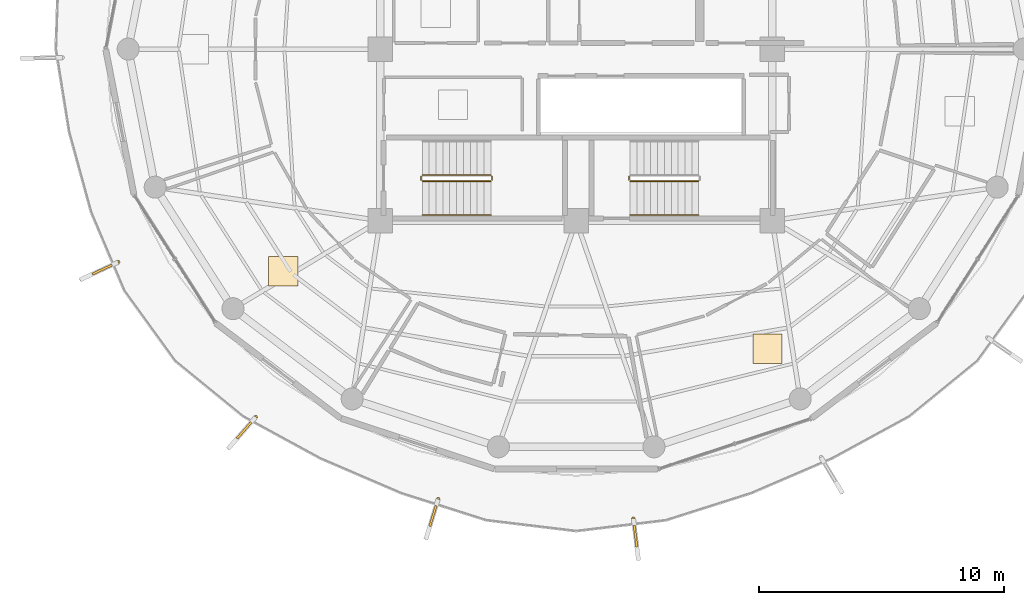
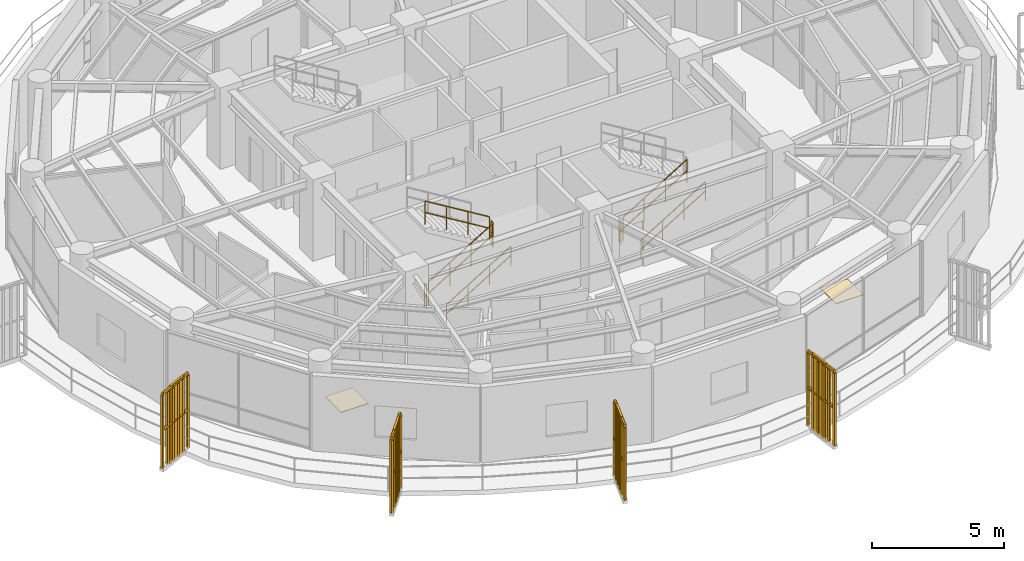
# One storey, part 20 of 23: 12 railings, 4 shading devices, 2 coverings.
"""IFC4 building model written with IfcOpenShell, lengths in metres."""

from ifc_helpers import new_model, si_unit, direction, frame, origin, origin_2d, place, context, subcontext, project, spatial, polyline, rectangle, outline, extrude, source, transform, mapped, material, layer, layer_set, type_object, element, save


model = new_model("IFC4")

# Units and contexts
model_context = context("Model", 3, precision=1e-05, world=origin(), true_north=direction((0.0, 1.0)))
body_context = subcontext(model_context, "Body", "Model", "MODEL_VIEW")
ifc_project = project(units=[si_unit("LENGTHUNIT", "METRE"), si_unit("AREAUNIT", "SQUARE_METRE"), si_unit("VOLUMEUNIT", "CUBIC_METRE"), si_unit("PLANEANGLEUNIT", "RADIAN"), si_unit("MASSUNIT", "GRAM", prefix="KILO")], contexts=[model_context])

# Site, building, storey
site_placement = place(None, origin())
site = spatial("IfcSite", under=ifc_project, at=site_placement, CompositionType="ELEMENT")
building_placement = place(site_placement, origin())
building = spatial("IfcBuilding", under=site, at=building_placement, Name="Kelanora Arch Commons", CompositionType="ELEMENT")
storey_placement = place(building_placement, frame((0.0, 0.0, 252.449951171875)))
storey = spatial("IfcBuildingStorey", under=building, at=storey_placement, Name="L64", CompositionType="ELEMENT", Elevation=252.449951171875)

# Railings
ifc_material_1 = material(Name="Anodised bronze vertical shading fin rib assembly")
railing_type_1 = type_object("IfcRailingType", Name="RAIL-FIN-BRZ", PredefinedType="BALUSTRADE", material=ifc_material_1)
railing_1_placement = place(storey_placement, frame((55.311279296875, 49.305908203125, -0.02001953125)))
element("IfcRailing", 1, at=railing_1_placement, inside=storey, type_object=railing_type_1, Name="Sweeping Bronze Vertical Fin Blade L64-10", PredefinedType="BALUSTRADE", context=body_context, shape_type="SweptSolid", body=[
    extrude(outline(polyline([(0.06982421875, 0.0), (0.034912109375, 0.060546875), (-0.034912109375, 0.060546875), (-0.06982421875, 0.0), (-0.034912109375, -0.060546875), (0.034912109375, -0.060546875), (0.06982421875, 0.0)])), frame((0.0, 0.0, 3.419921875), z_axis=(-0.906723728992, -0.421725122897, 0.0), x_axis=(0.421725122897, -0.906723728992, 0.0)), (0.0, 0.0, 1.0), 1.6591796875),
    extrude(outline(polyline([(0.06982421875, 0.0), (0.034912109375, 0.060546875), (-0.034912109375, 0.060546875), (-0.06982421875, 0.0), (-0.034912109375, -0.060546875), (0.034912109375, -0.060546875), (0.06982421875, 0.0)])), frame((0.0, 0.0, 1.7451171875), z_axis=(-0.906723728992, -0.421725122897, 0.0), x_axis=(0.421725122897, -0.906723728992, 0.0)), (0.0, 0.0, 1.0), 1.6591796875),
    extrude(outline(polyline([(0.080078125, 0.0), (0.0400390625, 0.0693359375), (-0.0400390625, 0.0693359375), (-0.080078125, 0.0), (-0.0400390625, -0.0693359375), (0.0400390625, -0.0693359375), (0.080078125, 0.0)])), origin(), (0.0, 0.0, 1.0), 3.35009765625),
    extrude(outline(polyline([(0.080078125, 0.0), (0.0400390625, 0.0693359375), (-0.0400390625, 0.0693359375), (-0.080078125, 0.0), (-0.0400390625, -0.0693359375), (0.0400390625, -0.0693359375), (0.080078125, 0.0)])), frame((-0.30078125, -0.139892578125, 0.0)), (0.0, 0.0, 1.0), 3.35009765625),
    extrude(outline(polyline([(0.080078125, 0.0), (0.0400390625, 0.0693359375), (-0.0400390625, 0.0693359375), (-0.080078125, 0.0), (-0.0400390625, -0.0693359375), (0.0400390625, -0.0693359375), (0.080078125, 0.0)])), frame((-0.601806640625, -0.27978515625, 0.0)), (0.0, 0.0, 1.0), 3.35009765625),
    extrude(outline(polyline([(0.080078125, 0.0), (0.0400390625, 0.0693359375), (-0.0400390625, 0.0693359375), (-0.080078125, 0.0), (-0.0400390625, -0.0693359375), (0.0400390625, -0.0693359375), (0.080078125, 0.0)])), frame((-0.902587890625, -0.419921875, 0.0)), (0.0, 0.0, 1.0), 3.35009765625),
    extrude(outline(polyline([(0.080078125, 0.0), (0.0400390625, 0.0693359375), (-0.0400390625, 0.0693359375), (-0.080078125, 0.0), (-0.0400390625, -0.0693359375), (0.0400390625, -0.0693359375), (0.080078125, 0.0)])), frame((-1.20361328125, -0.559814453125, 0.0)), (0.0, 0.0, 1.0), 3.35009765625),
    extrude(outline(polyline([(0.080078125, 0.0), (0.0400390625, 0.0693359375), (-0.0400390625, 0.0693359375), (-0.080078125, 0.0), (-0.0400390625, -0.0693359375), (0.0400390625, -0.0693359375), (0.080078125, 0.0)])), frame((-1.50439453125, -0.69970703125, 0.0)), (0.0, 0.0, 1.0), 3.35009765625),
])
railing_2_placement = place(storey_placement, frame((60.92236328125, 42.9833984375, -0.02001953125)))
element("IfcRailing", 2, at=railing_2_placement, inside=storey, type_object=railing_type_1, Name="Sweeping Bronze Vertical Fin Blade L64-11", PredefinedType="BALUSTRADE", context=body_context, shape_type="SweptSolid", body=[
    extrude(outline(polyline([(0.06982421875, 0.0), (0.034912109375, 0.060546875), (-0.034912109375, 0.060546875), (-0.06982421875, 0.0), (-0.034912109375, -0.060546875), (0.034912109375, -0.060546875), (0.06982421875, 0.0)])), frame((0.0, 0.0, 3.419921875), z_axis=(-0.656721361164, -0.75413331301, 0.0), x_axis=(0.75413331301, -0.656721361164, 0.0)), (0.0, 0.0, 1.0), 1.6591796875),
    extrude(outline(polyline([(0.06982421875, 0.0), (0.034912109375, 0.060546875), (-0.034912109375, 0.060546875), (-0.06982421875, 0.0), (-0.034912109375, -0.060546875), (0.034912109375, -0.060546875), (0.06982421875, 0.0)])), frame((0.0, 0.0, 1.7451171875), z_axis=(-0.656721361164, -0.75413331301, 0.0), x_axis=(0.75413331301, -0.656721361164, 0.0)), (0.0, 0.0, 1.0), 1.6591796875),
    extrude(outline(polyline([(0.080078125, 0.0), (0.0400390625, 0.0693359375), (-0.0400390625, 0.0693359375), (-0.080078125, 0.0), (-0.0400390625, -0.0693359375), (0.0400390625, -0.0693359375), (0.080078125, 0.0)])), origin(), (0.0, 0.0, 1.0), 3.35009765625),
    extrude(outline(polyline([(0.080078125, 0.0), (0.0400390625, 0.0693359375), (-0.0400390625, 0.0693359375), (-0.080078125, 0.0), (-0.0400390625, -0.0693359375), (0.0400390625, -0.0693359375), (0.080078125, 0.0)])), frame((-0.218017578125, -0.250244140625, 0.0)), (0.0, 0.0, 1.0), 3.35009765625),
    extrude(outline(polyline([(0.080078125, 0.0), (0.0400390625, 0.0693359375), (-0.0400390625, 0.0693359375), (-0.080078125, 0.0), (-0.0400390625, -0.0693359375), (0.0400390625, -0.0693359375), (0.080078125, 0.0)])), frame((-0.435791015625, -0.50048828125, 0.0)), (0.0, 0.0, 1.0), 3.35009765625),
    extrude(outline(polyline([(0.080078125, 0.0), (0.0400390625, 0.0693359375), (-0.0400390625, 0.0693359375), (-0.080078125, 0.0), (-0.0400390625, -0.0693359375), (0.0400390625, -0.0693359375), (0.080078125, 0.0)])), frame((-0.65380859375, -0.750732421875, 0.0)), (0.0, 0.0, 1.0), 3.35009765625),
    extrude(outline(polyline([(0.080078125, 0.0), (0.0400390625, 0.0693359375), (-0.0400390625, 0.0693359375), (-0.080078125, 0.0), (-0.0400390625, -0.0693359375), (0.0400390625, -0.0693359375), (0.080078125, 0.0)])), frame((-0.87158203125, -1.0009765625, 0.0)), (0.0, 0.0, 1.0), 3.35009765625),
    extrude(outline(polyline([(0.080078125, 0.0), (0.0400390625, 0.0693359375), (-0.0400390625, 0.0693359375), (-0.080078125, 0.0), (-0.0400390625, -0.0693359375), (0.0400390625, -0.0693359375), (0.080078125, 0.0)])), frame((-1.089599609375, -1.251220703125, 0.0)), (0.0, 0.0, 1.0), 3.35009765625),
])
railing_3_placement = place(storey_placement, frame((68.367431640625, 39.636474609375, -0.02001953125)))
element("IfcRailing", 3, at=railing_3_placement, inside=storey, type_object=railing_type_1, Name="Sweeping Bronze Vertical Fin Blade L64-12", PredefinedType="BALUSTRADE", context=body_context, shape_type="SweptSolid", body=[
    extrude(outline(polyline([(0.06982421875, 0.0), (0.034912109375, 0.060546875), (-0.034912109375, 0.060546875), (-0.06982421875, 0.0), (-0.034912109375, -0.060546875), (0.034912109375, -0.060546875), (0.06982421875, 0.0)])), frame((0.0, 0.0, 3.419921875), z_axis=(-0.293134360772, -0.956071255992, 0.0), x_axis=(0.956071255992, -0.293134360772, 0.0)), (0.0, 0.0, 1.0), 1.6591796875),
    extrude(outline(polyline([(0.06982421875, 0.0), (0.034912109375, 0.060546875), (-0.034912109375, 0.060546875), (-0.06982421875, 0.0), (-0.034912109375, -0.060546875), (0.034912109375, -0.060546875), (0.06982421875, 0.0)])), frame((0.0, 0.0, 1.7451171875), z_axis=(-0.293134360772, -0.956071255992, 0.0), x_axis=(0.956071255992, -0.293134360772, 0.0)), (0.0, 0.0, 1.0), 1.6591796875),
    extrude(outline(polyline([(0.080078125, 0.0), (0.0400390625, 0.0693359375), (-0.0400390625, 0.0693359375), (-0.080078125, 0.0), (-0.0400390625, -0.0693359375), (0.0400390625, -0.0693359375), (0.080078125, 0.0)])), origin(), (0.0, 0.0, 1.0), 3.35009765625),
    extrude(outline(polyline([(0.080078125, 0.0), (0.0400390625, 0.0693359375), (-0.0400390625, 0.0693359375), (-0.080078125, 0.0), (-0.0400390625, -0.0693359375), (0.0400390625, -0.0693359375), (0.080078125, 0.0)])), frame((-0.09716796875, -0.317138671875, 0.0)), (0.0, 0.0, 1.0), 3.35009765625),
    extrude(outline(polyline([(0.080078125, 0.0), (0.0400390625, 0.0693359375), (-0.0400390625, 0.0693359375), (-0.080078125, 0.0), (-0.0400390625, -0.0693359375), (0.0400390625, -0.0693359375), (0.080078125, 0.0)])), frame((-0.194580078125, -0.634521484375, 0.0)), (0.0, 0.0, 1.0), 3.35009765625),
    extrude(outline(polyline([(0.080078125, 0.0), (0.0400390625, 0.0693359375), (-0.0400390625, 0.0693359375), (-0.080078125, 0.0), (-0.0400390625, -0.0693359375), (0.0400390625, -0.0693359375), (0.080078125, 0.0)])), frame((-0.291748046875, -0.95166015625, 0.0)), (0.0, 0.0, 1.0), 3.35009765625),
    extrude(outline(polyline([(0.080078125, 0.0), (0.0400390625, 0.0693359375), (-0.0400390625, 0.0693359375), (-0.080078125, 0.0), (-0.0400390625, -0.0693359375), (0.0400390625, -0.0693359375), (0.080078125, 0.0)])), frame((-0.38916015625, -1.26904296875, 0.0)), (0.0, 0.0, 1.0), 3.35009765625),
    extrude(outline(polyline([(0.080078125, 0.0), (0.0400390625, 0.0693359375), (-0.0400390625, 0.0693359375), (-0.080078125, 0.0), (-0.0400390625, -0.0693359375), (0.0400390625, -0.0693359375), (0.080078125, 0.0)])), frame((-0.486328125, -1.586181640625, 0.0)), (0.0, 0.0, 1.0), 3.35009765625),
])
railing_4_placement = place(storey_placement, frame((76.334716796875, 38.841552734375, -0.02001953125)))
element("IfcRailing", 4, at=railing_4_placement, inside=storey, type_object=railing_type_1, Name="Sweeping Bronze Vertical Fin Blade L64-13", PredefinedType="BALUSTRADE", context=body_context, shape_type="SweptSolid", body=[
    extrude(outline(polyline([(0.06982421875, 0.0), (0.034912109375, 0.060546875), (-0.034912109375, 0.060546875), (-0.06982421875, 0.0), (-0.034912109375, -0.060546875), (0.034912109375, -0.060546875), (0.06982421875, 0.0)])), frame((0.0, 0.0, 3.419921875), z_axis=(0.120955356253, -0.992657948033, 0.0), x_axis=(0.992657948033, 0.120955356253, 0.0)), (0.0, 0.0, 1.0), 1.6591796875),
    extrude(outline(polyline([(0.06982421875, 0.0), (0.034912109375, 0.060546875), (-0.034912109375, 0.060546875), (-0.06982421875, 0.0), (-0.034912109375, -0.060546875), (0.034912109375, -0.060546875), (0.06982421875, 0.0)])), frame((0.0, 0.0, 1.7451171875), z_axis=(0.120955356253, -0.992657948033, 0.0), x_axis=(0.992657948033, 0.120955356253, 0.0)), (0.0, 0.0, 1.0), 1.6591796875),
    extrude(outline(polyline([(0.080078125, 0.0), (0.0400390625, 0.0693359375), (-0.0400390625, 0.0693359375), (-0.080078125, 0.0), (-0.0400390625, -0.0693359375), (0.0400390625, -0.0693359375), (0.080078125, 0.0)])), origin(), (0.0, 0.0, 1.0), 3.35009765625),
    extrude(outline(polyline([(0.080078125, 0.0), (0.0400390625, 0.0693359375), (-0.0400390625, 0.0693359375), (-0.080078125, 0.0), (-0.0400390625, -0.0693359375), (0.0400390625, -0.0693359375), (0.080078125, 0.0)])), frame((0.0400390625, -0.329345703125, 0.0)), (0.0, 0.0, 1.0), 3.35009765625),
    extrude(outline(polyline([(0.080078125, 0.0), (0.0400390625, 0.0693359375), (-0.0400390625, 0.0693359375), (-0.080078125, 0.0), (-0.0400390625, -0.0693359375), (0.0400390625, -0.0693359375), (0.080078125, 0.0)])), frame((0.080322265625, -0.65869140625, 0.0)), (0.0, 0.0, 1.0), 3.35009765625),
    extrude(outline(polyline([(0.080078125, 0.0), (0.0400390625, 0.0693359375), (-0.0400390625, 0.0693359375), (-0.080078125, 0.0), (-0.0400390625, -0.0693359375), (0.0400390625, -0.0693359375), (0.080078125, 0.0)])), frame((0.120361328125, -0.98828125, 0.0)), (0.0, 0.0, 1.0), 3.35009765625),
    extrude(outline(polyline([(0.080078125, 0.0), (0.0400390625, 0.0693359375), (-0.0400390625, 0.0693359375), (-0.080078125, 0.0), (-0.0400390625, -0.0693359375), (0.0400390625, -0.0693359375), (0.080078125, 0.0)])), frame((0.16064453125, -1.317626953125, 0.0)), (0.0, 0.0, 1.0), 3.35009765625),
    extrude(outline(polyline([(0.080078125, 0.0), (0.0400390625, 0.0693359375), (-0.0400390625, 0.0693359375), (-0.080078125, 0.0), (-0.0400390625, -0.0693359375), (0.0400390625, -0.0693359375), (0.080078125, 0.0)])), frame((0.20068359375, -1.64697265625, 0.0)), (0.0, 0.0, 1.0), 3.35009765625),
])
ifc_material_2 = material(Name="Painted steel stair well guard", Category="steel")
railing_type_2 = type_object("IfcRailingType", Name="RAIL-STAIR-GRD", PredefinedType="GUARDRAIL", material=ifc_material_2)
railing_5_placement = place(storey_placement, frame((76.199951171875, 52.610107421875, 0.17041015625)))
element("IfcRailing", 5, at=railing_5_placement, inside=storey, type_object=railing_type_2, Name="L64 ST-T2 stair guard 1", PredefinedType="GUARDRAIL", context=body_context, shape_type="SweptSolid", body=[
    extrude(outline(polyline([(0.02392578125, 0.0), (0.011962890625, 0.020751953125), (-0.011962890625, 0.020751953125), (-0.02392578125, 0.0), (-0.011962890625, -0.020751953125), (0.011962890625, -0.020751953125), (0.02392578125, 0.0)])), frame((0.0, 0.0, 1.076171875), z_axis=(0.854169791009, 0.0, 0.51999420009), x_axis=(0.0, 1.0, 0.0)), (0.0, 0.0, 1.0), 3.278076171875),
    extrude(outline(polyline([(0.02392578125, 0.0), (0.011962890625, 0.020751953125), (-0.011962890625, 0.020751953125), (-0.02392578125, 0.0), (-0.011962890625, -0.020751953125), (0.011962890625, -0.020751953125), (0.02392578125, 0.0)])), frame((0.0, 0.0, 0.550048828125), z_axis=(0.854169791009, 0.0, 0.51999420009), x_axis=(0.0, 1.0, 0.0)), (0.0, 0.0, 1.0), 3.278076171875),
    extrude(outline(polyline([(0.02099609375, 0.0), (0.010498046875, 0.01806640625), (-0.010498046875, 0.01806640625), (-0.02099609375, 0.0), (-0.010498046875, -0.01806640625), (0.010498046875, -0.01806640625), (0.02099609375, 0.0)])), origin(), (0.0, 0.0, 1.0), 1.052001953125),
    extrude(outline(polyline([(0.02099609375, 0.0), (0.010498046875, 0.01806640625), (-0.010498046875, 0.01806640625), (-0.02099609375, 0.0), (-0.010498046875, -0.01806640625), (0.010498046875, -0.01806640625), (0.02099609375, 0.0)])), frame((0.933349609375, 0.0, 0.568115234375)), (0.0, 0.0, 1.0), 1.052001953125),
    extrude(outline(polyline([(0.02099609375, 0.0), (0.010498046875, 0.01806640625), (-0.010498046875, 0.01806640625), (-0.02099609375, 0.0), (-0.010498046875, -0.01806640625), (0.010498046875, -0.01806640625), (0.02099609375, 0.0)])), frame((1.86669921875, 0.0, 1.136474609375)), (0.0, 0.0, 1.0), 1.052001953125),
    extrude(outline(polyline([(0.02099609375, 0.0), (0.010498046875, 0.01806640625), (-0.010498046875, 0.01806640625), (-0.02099609375, 0.0), (-0.010498046875, -0.01806640625), (0.010498046875, -0.01806640625), (0.02099609375, 0.0)])), frame((2.800048828125, 0.0, 1.70458984375)), (0.0, 0.0, 1.0), 1.052001953125),
])
railing_6_placement = place(storey_placement, frame((76.14990234375, 52.659912109375, 0.0)))
element("IfcRailing", 6, at=railing_6_placement, inside=storey, type_object=railing_type_2, Name="L64 ST-T2 stair guard 4", PredefinedType="GUARDRAIL", context=body_context, shape_type="SweptSolid", body=[
    extrude(outline(polyline([(0.02392578125, 0.0), (0.011962890625, 0.020751953125), (-0.011962890625, 0.020751953125), (-0.02392578125, 0.0), (-0.011962890625, -0.020751953125), (0.011962890625, -0.020751953125), (0.02392578125, 0.0)])), frame((0.0, 0.0, 1.076171875), z_axis=(0.0, 1.0, 0.0), x_axis=(-1.0, 0.0, 0.0)), (0.0, 0.0, 1.0), 0.150146484375),
    extrude(outline(polyline([(0.02392578125, 0.0), (0.011962890625, 0.020751953125), (-0.011962890625, 0.020751953125), (-0.02392578125, 0.0), (-0.011962890625, -0.020751953125), (0.011962890625, -0.020751953125), (0.02392578125, 0.0)])), frame((0.0, 0.0, 0.550048828125), z_axis=(0.0, 1.0, 0.0), x_axis=(-1.0, 0.0, 0.0)), (0.0, 0.0, 1.0), 0.150146484375),
    extrude(outline(polyline([(0.02099609375, 0.0), (0.010498046875, 0.01806640625), (-0.010498046875, 0.01806640625), (-0.02099609375, 0.0), (-0.010498046875, -0.01806640625), (0.010498046875, -0.01806640625), (0.02099609375, 0.0)])), origin(), (0.0, 0.0, 1.0), 1.052001953125),
    extrude(outline(polyline([(0.02099609375, 0.0), (0.010498046875, 0.01806640625), (-0.010498046875, 0.01806640625), (-0.02099609375, 0.0), (-0.010498046875, -0.01806640625), (0.010498046875, -0.01806640625), (0.02099609375, 0.0)])), frame((0.0, 0.150146484375, 0.0)), (0.0, 0.0, 1.0), 1.052001953125),
])
railing_7_placement = place(storey_placement, frame((67.719970703125, 52.610107421875, 0.17041015625)))
element("IfcRailing", 7, at=railing_7_placement, inside=storey, type_object=railing_type_2, Name="L64 ST-T3 stair guard 1", PredefinedType="GUARDRAIL", context=body_context, shape_type="SweptSolid", body=[
    extrude(outline(polyline([(0.02392578125, 0.0), (0.011962890625, 0.020751953125), (-0.011962890625, 0.020751953125), (-0.02392578125, 0.0), (-0.011962890625, -0.020751953125), (0.011962890625, -0.020751953125), (0.02392578125, 0.0)])), frame((0.0, 0.0, 1.076171875), z_axis=(0.854169791009, 0.0, 0.51999420009), x_axis=(0.0, 1.0, 0.0)), (0.0, 0.0, 1.0), 3.278076171875),
    extrude(outline(polyline([(0.02392578125, 0.0), (0.011962890625, 0.020751953125), (-0.011962890625, 0.020751953125), (-0.02392578125, 0.0), (-0.011962890625, -0.020751953125), (0.011962890625, -0.020751953125), (0.02392578125, 0.0)])), frame((0.0, 0.0, 0.550048828125), z_axis=(0.854169791009, 0.0, 0.51999420009), x_axis=(0.0, 1.0, 0.0)), (0.0, 0.0, 1.0), 3.278076171875),
    extrude(outline(polyline([(0.02099609375, 0.0), (0.010498046875, 0.01806640625), (-0.010498046875, 0.01806640625), (-0.02099609375, 0.0), (-0.010498046875, -0.01806640625), (0.010498046875, -0.01806640625), (0.02099609375, 0.0)])), origin(), (0.0, 0.0, 1.0), 1.052001953125),
    extrude(outline(polyline([(0.02099609375, 0.0), (0.010498046875, 0.01806640625), (-0.010498046875, 0.01806640625), (-0.02099609375, 0.0), (-0.010498046875, -0.01806640625), (0.010498046875, -0.01806640625), (0.02099609375, 0.0)])), frame((0.933349609375, 0.0, 0.568115234375)), (0.0, 0.0, 1.0), 1.052001953125),
    extrude(outline(polyline([(0.02099609375, 0.0), (0.010498046875, 0.01806640625), (-0.010498046875, 0.01806640625), (-0.02099609375, 0.0), (-0.010498046875, -0.01806640625), (0.010498046875, -0.01806640625), (0.02099609375, 0.0)])), frame((1.86669921875, 0.0, 1.136474609375)), (0.0, 0.0, 1.0), 1.052001953125),
    extrude(outline(polyline([(0.02099609375, 0.0), (0.010498046875, 0.01806640625), (-0.010498046875, 0.01806640625), (-0.02099609375, 0.0), (-0.010498046875, -0.01806640625), (0.010498046875, -0.01806640625), (0.02099609375, 0.0)])), frame((2.800048828125, 0.0, 1.70458984375)), (0.0, 0.0, 1.0), 1.052001953125),
])
railing_8_placement = place(storey_placement, frame((70.570068359375, 52.659912109375, 1.875)))
element("IfcRailing", 8, at=railing_8_placement, inside=storey, type_object=railing_type_2, Name="L64 ST-T3 stair guard 2", PredefinedType="GUARDRAIL", context=body_context, shape_type="SweptSolid", body=[
    extrude(outline(polyline([(0.02392578125, 0.0), (0.011962890625, 0.020751953125), (-0.011962890625, 0.020751953125), (-0.02392578125, 0.0), (-0.011962890625, -0.020751953125), (0.011962890625, -0.020751953125), (0.02392578125, 0.0)])), frame((0.0, 0.0, 1.076171875), z_axis=(0.0, 1.0, 0.0), x_axis=(-1.0, 0.0, 0.0)), (0.0, 0.0, 1.0), 0.150146484375),
    extrude(outline(polyline([(0.02392578125, 0.0), (0.011962890625, 0.020751953125), (-0.011962890625, 0.020751953125), (-0.02392578125, 0.0), (-0.011962890625, -0.020751953125), (0.011962890625, -0.020751953125), (0.02392578125, 0.0)])), frame((0.0, 0.0, 0.550048828125), z_axis=(0.0, 1.0, 0.0), x_axis=(-1.0, 0.0, 0.0)), (0.0, 0.0, 1.0), 0.150146484375),
    extrude(outline(polyline([(0.02099609375, 0.0), (0.010498046875, 0.01806640625), (-0.010498046875, 0.01806640625), (-0.02099609375, 0.0), (-0.010498046875, -0.01806640625), (0.010498046875, -0.01806640625), (0.02099609375, 0.0)])), origin(), (0.0, 0.0, 1.0), 1.052001953125),
    extrude(outline(polyline([(0.02099609375, 0.0), (0.010498046875, 0.01806640625), (-0.010498046875, 0.01806640625), (-0.02099609375, 0.0), (-0.010498046875, -0.01806640625), (0.010498046875, -0.01806640625), (0.02099609375, 0.0)])), frame((0.0, 0.150146484375, 0.0)), (0.0, 0.0, 1.0), 1.052001953125),
])
railing_9_placement = place(storey_placement, frame((70.52001953125, 52.860107421875, 2.04541015625)))
element("IfcRailing", 9, at=railing_9_placement, inside=storey, type_object=railing_type_2, Name="L64 ST-T3 stair guard 3", PredefinedType="GUARDRAIL", context=body_context, shape_type="SweptSolid", body=[
    extrude(outline(polyline([(0.02392578125, 0.0), (0.011962890625, 0.020751953125), (-0.011962890625, 0.020751953125), (-0.02392578125, 0.0), (-0.011962890625, -0.020751953125), (0.011962890625, -0.020751953125), (0.02392578125, 0.0)])), frame((0.0, 0.0, 1.076171875), z_axis=(-0.854169791009, 0.0, 0.51999420009), x_axis=(0.0, -1.0, 0.0)), (0.0, 0.0, 1.0), 3.278076171875),
    extrude(outline(polyline([(0.02392578125, 0.0), (0.011962890625, 0.020751953125), (-0.011962890625, 0.020751953125), (-0.02392578125, 0.0), (-0.011962890625, -0.020751953125), (0.011962890625, -0.020751953125), (0.02392578125, 0.0)])), frame((0.0, 0.0, 0.550048828125), z_axis=(-0.854169791009, 0.0, 0.51999420009), x_axis=(0.0, -1.0, 0.0)), (0.0, 0.0, 1.0), 3.278076171875),
    extrude(outline(polyline([(0.02099609375, 0.0), (0.010498046875, 0.01806640625), (-0.010498046875, 0.01806640625), (-0.02099609375, 0.0), (-0.010498046875, -0.01806640625), (0.010498046875, -0.01806640625), (0.02099609375, 0.0)])), origin(), (0.0, 0.0, 1.0), 1.052001953125),
    extrude(outline(polyline([(0.02099609375, 0.0), (0.010498046875, 0.01806640625), (-0.010498046875, 0.01806640625), (-0.02099609375, 0.0), (-0.010498046875, -0.01806640625), (0.010498046875, -0.01806640625), (0.02099609375, 0.0)])), frame((-0.933349609375, 0.0, 0.568115234375)), (0.0, 0.0, 1.0), 1.052001953125),
    extrude(outline(polyline([(0.02099609375, 0.0), (0.010498046875, 0.01806640625), (-0.010498046875, 0.01806640625), (-0.02099609375, 0.0), (-0.010498046875, -0.01806640625), (0.010498046875, -0.01806640625), (0.02099609375, 0.0)])), frame((-1.86669921875, 0.0, 1.136474609375)), (0.0, 0.0, 1.0), 1.052001953125),
    extrude(outline(polyline([(0.02099609375, 0.0), (0.010498046875, 0.01806640625), (-0.010498046875, 0.01806640625), (-0.02099609375, 0.0), (-0.010498046875, -0.01806640625), (0.010498046875, -0.01806640625), (0.02099609375, 0.0)])), frame((-2.800048828125, 0.0, 1.70458984375)), (0.0, 0.0, 1.0), 1.052001953125),
])
railing_10_placement = place(storey_placement, frame((67.669921875, 52.659912109375, 0.0)))
element("IfcRailing", 10, at=railing_10_placement, inside=storey, type_object=railing_type_2, Name="L64 ST-T3 stair guard 4", PredefinedType="GUARDRAIL", context=body_context, shape_type="SweptSolid", body=[
    extrude(outline(polyline([(0.02392578125, 0.0), (0.011962890625, 0.020751953125), (-0.011962890625, 0.020751953125), (-0.02392578125, 0.0), (-0.011962890625, -0.020751953125), (0.011962890625, -0.020751953125), (0.02392578125, 0.0)])), frame((0.0, 0.0, 1.076171875), z_axis=(0.0, 1.0, 0.0), x_axis=(-1.0, 0.0, 0.0)), (0.0, 0.0, 1.0), 0.150146484375),
    extrude(outline(polyline([(0.02392578125, 0.0), (0.011962890625, 0.020751953125), (-0.011962890625, 0.020751953125), (-0.02392578125, 0.0), (-0.011962890625, -0.020751953125), (0.011962890625, -0.020751953125), (0.02392578125, 0.0)])), frame((0.0, 0.0, 0.550048828125), z_axis=(0.0, 1.0, 0.0), x_axis=(-1.0, 0.0, 0.0)), (0.0, 0.0, 1.0), 0.150146484375),
    extrude(outline(polyline([(0.02099609375, 0.0), (0.010498046875, 0.01806640625), (-0.010498046875, 0.01806640625), (-0.02099609375, 0.0), (-0.010498046875, -0.01806640625), (0.010498046875, -0.01806640625), (0.02099609375, 0.0)])), origin(), (0.0, 0.0, 1.0), 1.052001953125),
    extrude(outline(polyline([(0.02099609375, 0.0), (0.010498046875, 0.01806640625), (-0.010498046875, 0.01806640625), (-0.02099609375, 0.0), (-0.010498046875, -0.01806640625), (0.010498046875, -0.01806640625), (0.02099609375, 0.0)])), frame((0.0, 0.150146484375, 0.0)), (0.0, 0.0, 1.0), 1.052001953125),
])
ifc_material_3 = material(Name="Brushed stainless steel stair handrail", Category="steel")
railing_type_3 = type_object("IfcRailingType", Name="RAIL-STAIR-HND", PredefinedType="HANDRAIL", material=ifc_material_3)
railing_11_placement = place(storey_placement, frame((76.199951171875, 51.22998046875, 0.17041015625)))
element("IfcRailing", 11, at=railing_11_placement, inside=storey, type_object=railing_type_3, Name="L64 ST-T2 stair handrail 1", PredefinedType="HANDRAIL", context=body_context, shape_type="SweptSolid", body=[
    extrude(outline(polyline([(0.02392578125, 0.0), (0.011962890625, 0.020751953125), (-0.011962890625, 0.020751953125), (-0.02392578125, 0.0), (-0.011962890625, -0.020751953125), (0.011962890625, -0.020751953125), (0.02392578125, 0.0)])), frame((0.0, 0.0, 0.8759765625), z_axis=(0.854169791009, 0.0, 0.51999420009), x_axis=(0.0, 1.0, 0.0)), (0.0, 0.0, 1.0), 3.278076171875),
    extrude(outline(polyline([(0.02392578125, 0.0), (0.011962890625, 0.020751953125), (-0.011962890625, 0.020751953125), (-0.02392578125, 0.0), (-0.011962890625, -0.020751953125), (0.011962890625, -0.020751953125), (0.02392578125, 0.0)])), frame((0.0, 0.0, 0.449951171875), z_axis=(0.854169791009, 0.0, 0.51999420009), x_axis=(0.0, 1.0, 0.0)), (0.0, 0.0, 1.0), 3.278076171875),
    extrude(outline(polyline([(0.02099609375, 0.0), (0.010498046875, 0.01806640625), (-0.010498046875, 0.01806640625), (-0.02099609375, 0.0), (-0.010498046875, -0.01806640625), (0.010498046875, -0.01806640625), (0.02099609375, 0.0)])), origin(), (0.0, 0.0, 1.0), 0.851806640625),
    extrude(outline(polyline([(0.02099609375, 0.0), (0.010498046875, 0.01806640625), (-0.010498046875, 0.01806640625), (-0.02099609375, 0.0), (-0.010498046875, -0.01806640625), (0.010498046875, -0.01806640625), (0.02099609375, 0.0)])), frame((0.933349609375, 0.0, 0.568115234375)), (0.0, 0.0, 1.0), 0.851806640625),
    extrude(outline(polyline([(0.02099609375, 0.0), (0.010498046875, 0.01806640625), (-0.010498046875, 0.01806640625), (-0.02099609375, 0.0), (-0.010498046875, -0.01806640625), (0.010498046875, -0.01806640625), (0.02099609375, 0.0)])), frame((1.86669921875, 0.0, 1.136474609375)), (0.0, 0.0, 1.0), 0.851806640625),
    extrude(outline(polyline([(0.02099609375, 0.0), (0.010498046875, 0.01806640625), (-0.010498046875, 0.01806640625), (-0.02099609375, 0.0), (-0.010498046875, -0.01806640625), (0.010498046875, -0.01806640625), (0.02099609375, 0.0)])), frame((2.800048828125, 0.0, 1.70458984375)), (0.0, 0.0, 1.0), 0.851806640625),
])
railing_12_placement = place(storey_placement, frame((67.719970703125, 51.22998046875, 0.17041015625)))
element("IfcRailing", 12, at=railing_12_placement, inside=storey, type_object=railing_type_3, Name="L64 ST-T3 stair handrail 1", PredefinedType="HANDRAIL", context=body_context, shape_type="SweptSolid", body=[
    extrude(outline(polyline([(0.02392578125, 0.0), (0.011962890625, 0.020751953125), (-0.011962890625, 0.020751953125), (-0.02392578125, 0.0), (-0.011962890625, -0.020751953125), (0.011962890625, -0.020751953125), (0.02392578125, 0.0)])), frame((0.0, 0.0, 0.8759765625), z_axis=(0.854169791009, 0.0, 0.51999420009), x_axis=(0.0, 1.0, 0.0)), (0.0, 0.0, 1.0), 3.278076171875),
    extrude(outline(polyline([(0.02392578125, 0.0), (0.011962890625, 0.020751953125), (-0.011962890625, 0.020751953125), (-0.02392578125, 0.0), (-0.011962890625, -0.020751953125), (0.011962890625, -0.020751953125), (0.02392578125, 0.0)])), frame((0.0, 0.0, 0.449951171875), z_axis=(0.854169791009, 0.0, 0.51999420009), x_axis=(0.0, 1.0, 0.0)), (0.0, 0.0, 1.0), 3.278076171875),
    extrude(outline(polyline([(0.02099609375, 0.0), (0.010498046875, 0.01806640625), (-0.010498046875, 0.01806640625), (-0.02099609375, 0.0), (-0.010498046875, -0.01806640625), (0.010498046875, -0.01806640625), (0.02099609375, 0.0)])), origin(), (0.0, 0.0, 1.0), 0.851806640625),
    extrude(outline(polyline([(0.02099609375, 0.0), (0.010498046875, 0.01806640625), (-0.010498046875, 0.01806640625), (-0.02099609375, 0.0), (-0.010498046875, -0.01806640625), (0.010498046875, -0.01806640625), (0.02099609375, 0.0)])), frame((0.933349609375, 0.0, 0.568115234375)), (0.0, 0.0, 1.0), 0.851806640625),
    extrude(outline(polyline([(0.02099609375, 0.0), (0.010498046875, 0.01806640625), (-0.010498046875, 0.01806640625), (-0.02099609375, 0.0), (-0.010498046875, -0.01806640625), (0.010498046875, -0.01806640625), (0.02099609375, 0.0)])), frame((1.86669921875, 0.0, 1.136474609375)), (0.0, 0.0, 1.0), 0.851806640625),
    extrude(outline(polyline([(0.02099609375, 0.0), (0.010498046875, 0.01806640625), (-0.010498046875, 0.01806640625), (-0.02099609375, 0.0), (-0.010498046875, -0.01806640625), (0.010498046875, -0.01806640625), (0.02099609375, 0.0)])), frame((2.800048828125, 0.0, 1.70458984375)), (0.0, 0.0, 1.0), 0.851806640625),
])

# Shading devices
ifc_material_4 = material(Name="Terracotta ceramic-clad extruded aluminium fin", Category="masonry")
shading_device_type = type_object("IfcShadingDeviceType", Name="SHD-FIN-FLARE", PredefinedType="USERDEFINED", material=ifc_material_4)
shared_shape_1 = source(origin(), body_context, "Body", "SweptSolid", [
    extrude(rectangle(XDim=0.8798828125, YDim=0.090087890625, at=origin_2d()), origin(), (0.0, 0.0, 1.0), 3.610107421875),
])
for number, where, z_axis, x_axis, name in (
    (13, (54.658447265625, 49.002197265625, -0.14013671875), (0.0, 0.0, 1.0), (-0.906676245901, -0.421827198174, 0.0), "Sweeping Terracotta Fin L64-10"),
    (14, (60.449462890625, 42.4404296875, -0.14013671875), (0.0, 0.0, 1.0), (-0.656717387452, -0.754136773416, 0.0), "Sweeping Terracotta Fin L64-11"),
    (15, (68.156494140625, 38.9482421875, -0.14013671875), (0.0, 0.0, 1.0), (-0.293206126622, -0.956049249417, 0.0), "Sweeping Terracotta Fin L64-12"),
    (16, (76.421875, 38.126953125, -0.14013671875), (0.0, 0.0, 1.0), (0.121003137194, -0.992652124759, 0.0), "Sweeping Terracotta Fin L64-13"),
):
    element("IfcShadingDevice", number, at=place(storey_placement, frame(where, z_axis=z_axis, x_axis=x_axis)), inside=storey, type_object=shading_device_type, Name=name, ObjectType="FIN", PredefinedType="USERDEFINED", context=body_context, shape_type="MappedRepresentation", body=[
        mapped(shared_shape_1, transform((0.0, 0.0, 0.0), scale=1.0)),
    ])

# Coverings
ifc_material_5 = material(Name="Polished local granite terrazzo flooring", Category="masonry")
ifc_layer = layer(ifc_material_5, 0.030029296875)
ifc_layer_set = layer_set([ifc_layer], Name="Polished local granite terrazzo flooring")
covering_type = type_object("IfcCoveringType", Name="COV-FLR-TER", PredefinedType="FLOORING", material=ifc_layer_set)
shared_shape_2 = source(origin(), body_context, "Body", "SweptSolid", [
    extrude(rectangle(XDim=1.199951171875, YDim=1.199951171875, at=origin_2d()), origin(), (0.0, 0.0, 1.0), 0.030029296875),
])
for number, where, z_axis, x_axis, name in (
    (17, (62.040771484375, 48.930419921875, 0.0), (0.0, 0.0, 1.0), (1.0, 0.0, 0.0), "Quiet Seminar Study Room L64-06 Terrazzo Finish"),
    (18, (81.8056640625, 45.780517578125, 0.0), (0.0, 0.0, 1.0), (1.0, 0.0, 0.0), "Communal Dining and Social Hall L64-08 Terrazzo Finish"),
):
    element("IfcCovering", number, at=place(storey_placement, frame(where, z_axis=z_axis, x_axis=x_axis)), inside=storey, type_object=covering_type, Name=name, PredefinedType="FLOORING", context=body_context, shape_type="MappedRepresentation", body=[
        mapped(shared_shape_2, transform((0.0, 0.0, 0.0), scale=1.0)),
    ])

save(model, "model.ifc")
